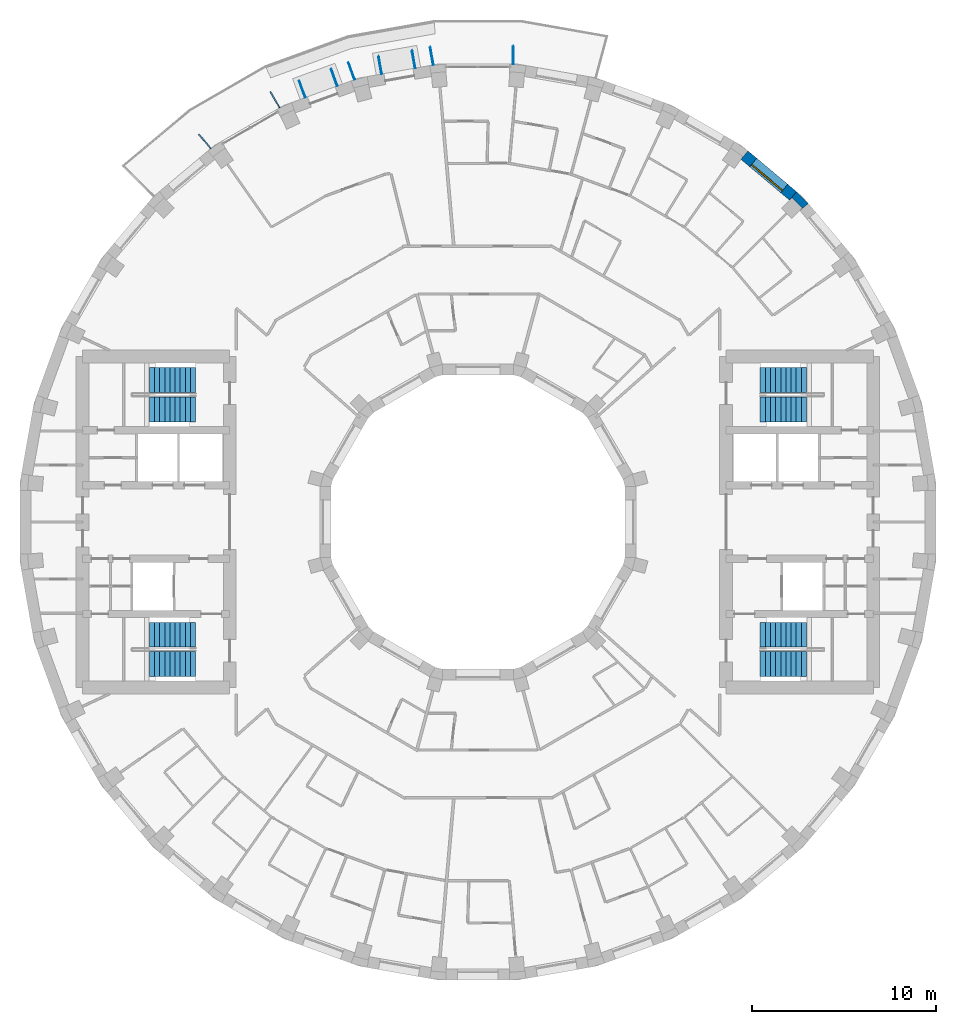
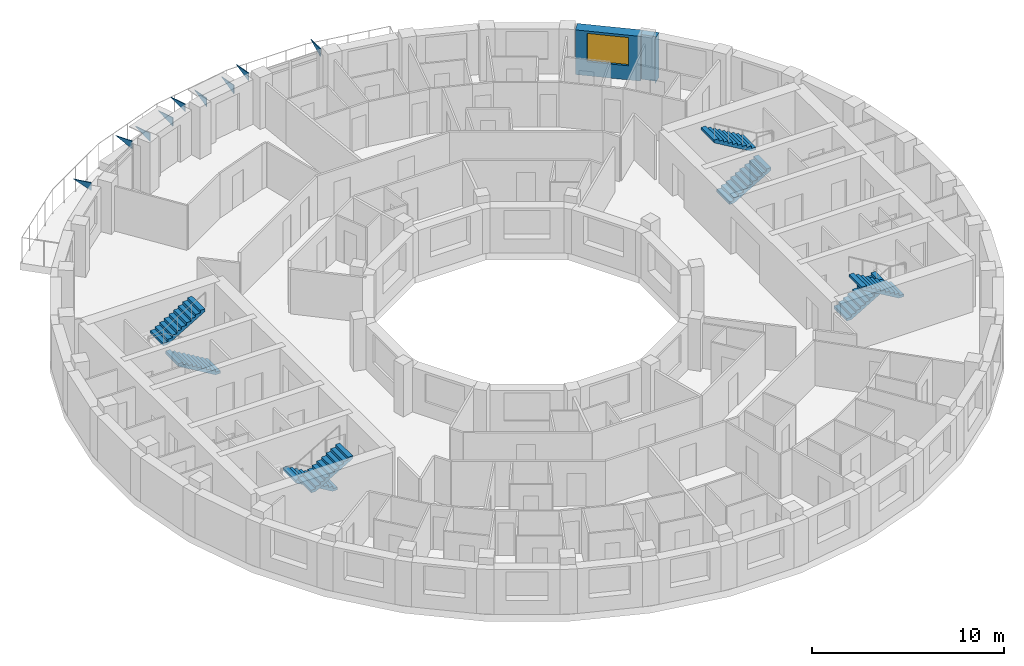
# One storey, part 13 of 14: 9 discrete accessories, 8 stair flights, 2 walls, 1 window, 1 opening, 4 elements without a shape of their own.
"""IFC4 building model written with IfcOpenShell, lengths in metres."""

from ifc_helpers import new_model, si_unit, direction, frame, frame_2d, origin, place, context, subcontext, project, spatial, polyline, rectangle, outline, extrude, material, layer, layer_set, type_object, element, fill, aggregate, save


model = new_model("IFC4")

# Units and contexts
model_context = context("Model", 3, precision=1e-05, world=origin(), true_north=direction((0.0, 1.0)))
body_context = subcontext(model_context, "Body", "Model", "MODEL_VIEW")
ifc_project = project(units=[si_unit("LENGTHUNIT", "METRE"), si_unit("AREAUNIT", "SQUARE_METRE"), si_unit("VOLUMEUNIT", "CUBIC_METRE"), si_unit("PLANEANGLEUNIT", "RADIAN"), si_unit("MASSUNIT", "GRAM", prefix="KILO")], contexts=[model_context])

# Site, building, storey
site_placement = place(None, origin())
site = spatial("IfcSite", under=ifc_project, at=site_placement, CompositionType="ELEMENT")
building_placement = place(site_placement, origin())
building = spatial("IfcBuilding", under=site, at=building_placement, Name="Saqina Gate Tower", CompositionType="ELEMENT")
storey_placement = place(building_placement, frame((0.0, 0.0, 213.60009765625)))
storey = spatial("IfcBuildingStorey", under=building, at=storey_placement, Name="L61", CompositionType="ELEMENT", Elevation=213.60009765625)

# Wall
ifc_material_1 = material(Name="Brick masonry (buff)", Category="masonry")
wall_type_1 = type_object("IfcWallType", Name="BRICK PIER COPING BUFF", PredefinedType="SOLIDWALL", material=ifc_material_1)
wall_1_placement = place(storey_placement, origin())
element("IfcWall", 1, at=wall_1_placement, inside=storey, type_object=wall_type_1, Name="Pier cap L61 column 5", PredefinedType="SOLIDWALL", context=body_context, shape_type="SweptSolid", body=[
    extrude(outline(polyline([(17.329833984375, 17.969482421875), (16.944091796875, 17.510009765625), (17.07666015625, 17.642333984375), (17.642333984375, 17.07666015625), (17.510009765625, 16.944091796875), (17.969482421875, 17.329833984375), (17.329833984375, 17.969482421875)])), origin(), (0.0, 0.0, 1.0), 2.849853515625),
])

# Wall, opening, window
ifc_material_2 = material(Name="Brick masonry (buff)", Category="masonry")
ifc_layer_1 = layer(ifc_material_2, 0.60009765625)
ifc_layer_set_1 = layer_set([ifc_layer_1], Name="FW-BRICK-BUFF")
wall_type_2 = type_object("IfcWallType", Name="FW-BRICK-BUFF", PredefinedType="SOLIDWALL", material=ifc_layer_set_1)
wall_2_placement = place(storey_placement, frame((17.136962890625, 17.73974609375, 0.0), z_axis=(0.0, 0.0, 1.0), x_axis=(-0.766058884809, 0.642770398358, 0.0)))
wall_2 = element("IfcWall", 2, at=wall_2_placement, inside=storey, type_object=wall_type_2, Name="Facade wall L61 facet 5", PredefinedType="SOLIDWALL", context=body_context, shape_type="SweptSolid", body=[
    extrude(rectangle(XDim=3.449462890625, YDim=0.60009765625, at=frame_2d((1.724609375, 0.0))), origin(), (0.0, 0.0, 1.0), 2.849853515625),
])
opening_placement = place(wall_2_placement, frame((0.625, 0.0, 0.89990234375)))
opening = element("IfcOpeningElement", 3, at=opening_placement, cuts=wall_2, Name="Opening G18-W03", PredefinedType="OPENING", context=body_context, shape_type="SweptSolid", body=[
    extrude(rectangle(XDim=2.199951171875, YDim=1.800048828125, at=frame_2d((1.10009765625, 0.89990234375))), frame((0.0, 0.31201171875, 0.0), z_axis=(0.0, -1.0, 0.0), x_axis=(1.0, 0.0, 0.0)), (0.0, 0.0, 1.0), 0.6240234375),
])
ifc_material_3 = material(Name="Aluminium glazing", Category="aluminium")
window_type = type_object("IfcWindowType", Name="WN-C", PartitioningType="SINGLE_PANEL", PredefinedType="WINDOW", material=ifc_material_3)
window_placement = place(opening_placement, origin())
window = element("IfcWindow", 4, at=window_placement, inside=storey, type_object=window_type, Name="Window L61 facet 5", OverallHeight=1.800048828125, OverallWidth=2.199951171875, PartitioningType="SINGLE_PANEL", PredefinedType="WINDOW", context=body_context, shape_type="SweptSolid", body=[
    extrude(rectangle(XDim=2.199951171875, YDim=1.800048828125, at=frame_2d((1.10009765625, 0.89990234375))), frame((0.0, 0.179931640625, 0.0), z_axis=(0.0, -1.0, 0.0), x_axis=(1.0, 0.0, 0.0)), (0.0, 0.0, 1.0), 0.06005859375),
])
fill(opening, window)

# Stair, stair flights
ifc_material_4 = material(Name="Concrete C40/50", Category="concrete")
stair_type = type_object("IfcStairType", Name="EXIT STAIR", PredefinedType="HALF_TURN_STAIR", material=ifc_material_4)
stair_1_placement = place(storey_placement, origin())
stair_1 = element("IfcStair", 5, at=stair_1_placement, inside=storey, type_object=stair_type, Name="EXIT STAIR 1", PredefinedType="HALF_TURN_STAIR")
ifc_material_5 = material(Name="Concrete C40/50", Category="concrete")
stair_flight_type = type_object("IfcStairFlightType", Name="EXIT STAIR FLIGHT", PredefinedType="STRAIGHT", material=ifc_material_5)
stair_flight_1_placement = place(storey_placement, frame((15.35009765625, 6.125, 0.0), z_axis=(0.0, 0.0, 1.0), x_axis=(1.0, 0.0, 0.0)))
stair_flight_1 = element("IfcStairFlight", 6, at=stair_flight_1_placement, type_object=stair_flight_type, Name="EXIT STAIR 1 FLIGHT 1", NumberOfRisers=10, NumberOfTreads=9, PredefinedType="STRAIGHT", RiserHeight=0.165, TreadLength=0.28, context=body_context, shape_type="SweptSolid", body=[
    extrude(outline(polyline([(0.0, 0.0), (0.0, 0.1650390625), (0.280029296875, 0.1650390625), (0.280029296875, 0.330078125), (0.56005859375, 0.330078125), (0.56005859375, 0.4951171875), (0.840087890625, 0.4951171875), (0.840087890625, 0.659912109375), (1.1201171875, 0.659912109375), (1.1201171875, 0.824951171875), (1.39990234375, 0.824951171875), (1.39990234375, 0.989990234375), (1.679931640625, 0.989990234375), (1.679931640625, 1.155029296875), (1.9599609375, 1.155029296875), (1.9599609375, 1.320068359375), (2.239990234375, 1.320068359375), (2.239990234375, 1.485107421875), (2.52001953125, 1.485107421875), (2.52001953125, 1.64990234375), (2.52001953125, 1.31103515625), (0.295166015625, 0.0), (0.0, 0.0)])), frame((0.0, 0.675048828125, 0.0), z_axis=(0.0, -1.0, 0.0), x_axis=(1.0, 0.0, 0.0)), (0.0, 0.0, 1.0), 1.35009765625),
])
stair_flight_2_placement = place(storey_placement, frame((17.8701171875, 7.72509765625, 1.64990234375), z_axis=(0.0, 0.0, 1.0), x_axis=(-1.0, 0.0, 0.0)))
stair_flight_2 = element("IfcStairFlight", 7, at=stair_flight_2_placement, type_object=stair_flight_type, Name="EXIT STAIR 1 FLIGHT 2", NumberOfRisers=10, NumberOfTreads=9, PredefinedType="STRAIGHT", RiserHeight=0.165, TreadLength=0.28, context=body_context, shape_type="SweptSolid", body=[
    extrude(outline(polyline([(0.0, 0.0), (0.0, 0.1650390625), (0.280029296875, 0.1650390625), (0.280029296875, 0.330078125), (0.56005859375, 0.330078125), (0.56005859375, 0.4951171875), (0.840087890625, 0.4951171875), (0.840087890625, 0.659912109375), (1.1201171875, 0.659912109375), (1.1201171875, 0.824951171875), (1.39990234375, 0.824951171875), (1.39990234375, 0.989990234375), (1.679931640625, 0.989990234375), (1.679931640625, 1.155029296875), (1.9599609375, 1.155029296875), (1.9599609375, 1.320068359375), (2.239990234375, 1.320068359375), (2.239990234375, 1.485107421875), (2.52001953125, 1.485107421875), (2.52001953125, 1.64990234375), (2.52001953125, 1.31103515625), (0.295166015625, 0.0), (0.0, 0.0)])), frame((0.0, 0.675048828125, 0.0), z_axis=(0.0, -1.0, 0.0), x_axis=(1.0, 0.0, 0.0)), (0.0, 0.0, 1.0), 1.35009765625),
])
aggregate(stair_1, [stair_flight_1, stair_flight_2])

stair_2_placement = place(storey_placement, origin())
stair_2 = element("IfcStair", 8, at=stair_2_placement, inside=storey, type_object=stair_type, Name="EXIT STAIR 2", PredefinedType="HALF_TURN_STAIR")
stair_flight_3_placement = place(storey_placement, frame((15.35009765625, -6.125, 0.0), z_axis=(0.0, 0.0, 1.0), x_axis=(1.0, 0.0, 0.0)))
stair_flight_3 = element("IfcStairFlight", 9, at=stair_flight_3_placement, type_object=stair_flight_type, Name="EXIT STAIR 2 FLIGHT 1", NumberOfRisers=10, NumberOfTreads=9, PredefinedType="STRAIGHT", RiserHeight=0.165, TreadLength=0.28, context=body_context, shape_type="SweptSolid", body=[
    extrude(outline(polyline([(0.0, 0.0), (0.0, 0.1650390625), (0.280029296875, 0.1650390625), (0.280029296875, 0.330078125), (0.56005859375, 0.330078125), (0.56005859375, 0.4951171875), (0.840087890625, 0.4951171875), (0.840087890625, 0.659912109375), (1.1201171875, 0.659912109375), (1.1201171875, 0.824951171875), (1.39990234375, 0.824951171875), (1.39990234375, 0.989990234375), (1.679931640625, 0.989990234375), (1.679931640625, 1.155029296875), (1.9599609375, 1.155029296875), (1.9599609375, 1.320068359375), (2.239990234375, 1.320068359375), (2.239990234375, 1.485107421875), (2.52001953125, 1.485107421875), (2.52001953125, 1.64990234375), (2.52001953125, 1.31103515625), (0.295166015625, 0.0), (0.0, 0.0)])), frame((0.0, 0.675048828125, 0.0), z_axis=(0.0, -1.0, 0.0), x_axis=(1.0, 0.0, 0.0)), (0.0, 0.0, 1.0), 1.35009765625),
])
stair_flight_4_placement = place(storey_placement, frame((17.8701171875, -7.72509765625, 1.64990234375), z_axis=(0.0, 0.0, 1.0), x_axis=(-1.0, 0.0, 0.0)))
stair_flight_4 = element("IfcStairFlight", 10, at=stair_flight_4_placement, type_object=stair_flight_type, Name="EXIT STAIR 2 FLIGHT 2", NumberOfRisers=10, NumberOfTreads=9, PredefinedType="STRAIGHT", RiserHeight=0.165, TreadLength=0.28, context=body_context, shape_type="SweptSolid", body=[
    extrude(outline(polyline([(0.0, 0.0), (0.0, 0.1650390625), (0.280029296875, 0.1650390625), (0.280029296875, 0.330078125), (0.56005859375, 0.330078125), (0.56005859375, 0.4951171875), (0.840087890625, 0.4951171875), (0.840087890625, 0.659912109375), (1.1201171875, 0.659912109375), (1.1201171875, 0.824951171875), (1.39990234375, 0.824951171875), (1.39990234375, 0.989990234375), (1.679931640625, 0.989990234375), (1.679931640625, 1.155029296875), (1.9599609375, 1.155029296875), (1.9599609375, 1.320068359375), (2.239990234375, 1.320068359375), (2.239990234375, 1.485107421875), (2.52001953125, 1.485107421875), (2.52001953125, 1.64990234375), (2.52001953125, 1.31103515625), (0.295166015625, 0.0), (0.0, 0.0)])), frame((0.0, 0.675048828125, 0.0), z_axis=(0.0, -1.0, 0.0), x_axis=(1.0, 0.0, 0.0)), (0.0, 0.0, 1.0), 1.35009765625),
])
aggregate(stair_2, [stair_flight_3, stair_flight_4])

stair_3_placement = place(storey_placement, origin())
stair_3 = element("IfcStair", 11, at=stair_3_placement, inside=storey, type_object=stair_type, Name="EXIT STAIR 3", PredefinedType="HALF_TURN_STAIR")
stair_flight_5_placement = place(storey_placement, frame((-15.35009765625, 6.125, 0.0), z_axis=(0.0, 0.0, 1.0), x_axis=(-1.0, 0.0, 0.0)))
stair_flight_5 = element("IfcStairFlight", 12, at=stair_flight_5_placement, type_object=stair_flight_type, Name="EXIT STAIR 3 FLIGHT 1", NumberOfRisers=10, NumberOfTreads=9, PredefinedType="STRAIGHT", RiserHeight=0.165, TreadLength=0.28, context=body_context, shape_type="SweptSolid", body=[
    extrude(outline(polyline([(0.0, 0.0), (0.0, 0.1650390625), (0.280029296875, 0.1650390625), (0.280029296875, 0.330078125), (0.56005859375, 0.330078125), (0.56005859375, 0.4951171875), (0.840087890625, 0.4951171875), (0.840087890625, 0.659912109375), (1.1201171875, 0.659912109375), (1.1201171875, 0.824951171875), (1.39990234375, 0.824951171875), (1.39990234375, 0.989990234375), (1.679931640625, 0.989990234375), (1.679931640625, 1.155029296875), (1.9599609375, 1.155029296875), (1.9599609375, 1.320068359375), (2.239990234375, 1.320068359375), (2.239990234375, 1.485107421875), (2.52001953125, 1.485107421875), (2.52001953125, 1.64990234375), (2.52001953125, 1.31103515625), (0.295166015625, 0.0), (0.0, 0.0)])), frame((0.0, 0.675048828125, 0.0), z_axis=(0.0, -1.0, 0.0), x_axis=(1.0, 0.0, 0.0)), (0.0, 0.0, 1.0), 1.35009765625),
])
stair_flight_6_placement = place(storey_placement, frame((-17.8701171875, 7.72509765625, 1.64990234375), z_axis=(0.0, 0.0, 1.0), x_axis=(1.0, 0.0, 0.0)))
stair_flight_6 = element("IfcStairFlight", 13, at=stair_flight_6_placement, type_object=stair_flight_type, Name="EXIT STAIR 3 FLIGHT 2", NumberOfRisers=10, NumberOfTreads=9, PredefinedType="STRAIGHT", RiserHeight=0.165, TreadLength=0.28, context=body_context, shape_type="SweptSolid", body=[
    extrude(outline(polyline([(0.0, 0.0), (0.0, 0.1650390625), (0.280029296875, 0.1650390625), (0.280029296875, 0.330078125), (0.56005859375, 0.330078125), (0.56005859375, 0.4951171875), (0.840087890625, 0.4951171875), (0.840087890625, 0.659912109375), (1.1201171875, 0.659912109375), (1.1201171875, 0.824951171875), (1.39990234375, 0.824951171875), (1.39990234375, 0.989990234375), (1.679931640625, 0.989990234375), (1.679931640625, 1.155029296875), (1.9599609375, 1.155029296875), (1.9599609375, 1.320068359375), (2.239990234375, 1.320068359375), (2.239990234375, 1.485107421875), (2.52001953125, 1.485107421875), (2.52001953125, 1.64990234375), (2.52001953125, 1.31103515625), (0.295166015625, 0.0), (0.0, 0.0)])), frame((0.0, 0.675048828125, 0.0), z_axis=(0.0, -1.0, 0.0), x_axis=(1.0, 0.0, 0.0)), (0.0, 0.0, 1.0), 1.35009765625),
])
aggregate(stair_3, [stair_flight_5, stair_flight_6])

stair_4_placement = place(storey_placement, origin())
stair_4 = element("IfcStair", 14, at=stair_4_placement, inside=storey, type_object=stair_type, Name="EXIT STAIR 4", PredefinedType="HALF_TURN_STAIR")
stair_flight_7_placement = place(storey_placement, frame((-15.35009765625, -6.125, 0.0), z_axis=(0.0, 0.0, 1.0), x_axis=(-1.0, 0.0, 0.0)))
stair_flight_7 = element("IfcStairFlight", 15, at=stair_flight_7_placement, type_object=stair_flight_type, Name="EXIT STAIR 4 FLIGHT 1", NumberOfRisers=10, NumberOfTreads=9, PredefinedType="STRAIGHT", RiserHeight=0.165, TreadLength=0.28, context=body_context, shape_type="SweptSolid", body=[
    extrude(outline(polyline([(0.0, 0.0), (0.0, 0.1650390625), (0.280029296875, 0.1650390625), (0.280029296875, 0.330078125), (0.56005859375, 0.330078125), (0.56005859375, 0.4951171875), (0.840087890625, 0.4951171875), (0.840087890625, 0.659912109375), (1.1201171875, 0.659912109375), (1.1201171875, 0.824951171875), (1.39990234375, 0.824951171875), (1.39990234375, 0.989990234375), (1.679931640625, 0.989990234375), (1.679931640625, 1.155029296875), (1.9599609375, 1.155029296875), (1.9599609375, 1.320068359375), (2.239990234375, 1.320068359375), (2.239990234375, 1.485107421875), (2.52001953125, 1.485107421875), (2.52001953125, 1.64990234375), (2.52001953125, 1.31103515625), (0.295166015625, 0.0), (0.0, 0.0)])), frame((0.0, 0.675048828125, 0.0), z_axis=(0.0, -1.0, 0.0), x_axis=(1.0, 0.0, 0.0)), (0.0, 0.0, 1.0), 1.35009765625),
])
stair_flight_8_placement = place(storey_placement, frame((-17.8701171875, -7.72509765625, 1.64990234375), z_axis=(0.0, 0.0, 1.0), x_axis=(1.0, 0.0, 0.0)))
stair_flight_8 = element("IfcStairFlight", 16, at=stair_flight_8_placement, type_object=stair_flight_type, Name="EXIT STAIR 4 FLIGHT 2", NumberOfRisers=10, NumberOfTreads=9, PredefinedType="STRAIGHT", RiserHeight=0.165, TreadLength=0.28, context=body_context, shape_type="SweptSolid", body=[
    extrude(outline(polyline([(0.0, 0.0), (0.0, 0.1650390625), (0.280029296875, 0.1650390625), (0.280029296875, 0.330078125), (0.56005859375, 0.330078125), (0.56005859375, 0.4951171875), (0.840087890625, 0.4951171875), (0.840087890625, 0.659912109375), (1.1201171875, 0.659912109375), (1.1201171875, 0.824951171875), (1.39990234375, 0.824951171875), (1.39990234375, 0.989990234375), (1.679931640625, 0.989990234375), (1.679931640625, 1.155029296875), (1.9599609375, 1.155029296875), (1.9599609375, 1.320068359375), (2.239990234375, 1.320068359375), (2.239990234375, 1.485107421875), (2.52001953125, 1.485107421875), (2.52001953125, 1.64990234375), (2.52001953125, 1.31103515625), (0.295166015625, 0.0), (0.0, 0.0)])), frame((0.0, 0.675048828125, 0.0), z_axis=(0.0, -1.0, 0.0), x_axis=(1.0, 0.0, 0.0)), (0.0, 0.0, 1.0), 1.35009765625),
])
aggregate(stair_4, [stair_flight_7, stair_flight_8])

# Discrete accessories
ifc_material_6 = material(Name="Galvanised steel", Category="steel")
ifc_layer_2 = layer(ifc_material_6, 0.050048828125)
ifc_layer_set_2 = layer_set([ifc_layer_2], Name="BR-AWNING")
discrete_accessory_type_1 = type_object("IfcDiscreteAccessoryType", Name="BR-AWNING", PredefinedType="BRACKET", material=ifc_layer_set_2)
discrete_accessory_1_placement = place(storey_placement, frame((-3.4384765625, 24.682861328125, 1.974853515625), z_axis=(-0.984813043937, -0.173618168668, 0.0), x_axis=(0.0, 0.0, 1.0)))
element("IfcDiscreteAccessory", 17, at=discrete_accessory_1_placement, inside=storey, type_object=discrete_accessory_type_1, Name="Awning bracket L61 facet 10", PredefinedType="BRACKET", context=body_context, shape_type="SweptSolid", body=[
    extrude(outline(polyline([(0.0, 0.0), (0.550048828125, 0.0), (0.550048828125, 0.9998031064747768), (0.0, 0.0)])), origin(), (0.0, 0.0, -1.0), 0.050048828125),
])
discrete_accessory_2_placement = place(storey_placement, frame((-5.260009765625, 24.361572265625, 1.974853515625), z_axis=(-0.984778643263, -0.173813186416, 0.0), x_axis=(0.0, 0.0, 1.0)))
element("IfcDiscreteAccessory", 18, at=discrete_accessory_2_placement, inside=storey, type_object=discrete_accessory_type_1, Name="Awning bracket L61 facet 10", PredefinedType="BRACKET", context=body_context, shape_type="SweptSolid", body=[
    extrude(outline(polyline([(0.0, 0.0), (0.550048828125, 0.0), (0.550048828125, 1.0000859462043912), (0.0, 0.0)])), origin(), (0.0, 0.0, -1.0), 0.050048828125),
])
for number, where, z_axis, x_axis, name in (
    (19, (-7.67236328125, 23.710693359375, 1.974853515625), (-0.939686455819, -0.342037080957, 0.0), (0.0, 0.0, 1.0), "Awning bracket L61 facet 11"),
    (20, (-9.41064453125, 23.077880859375, 1.974853515625), (-0.939686455819, -0.342037080957, 0.0), (0.0, 0.0, 1.0), "Awning bracket L61 facet 11"),
):
    element("IfcDiscreteAccessory", number, at=place(storey_placement, frame(where, z_axis=z_axis, x_axis=x_axis)), inside=storey, type_object=discrete_accessory_type_1, Name=name, PredefinedType="BRACKET", context=body_context, shape_type="SweptSolid", body=[
        extrude(outline(polyline([(0.0, 0.0), (0.550048828125, 0.0), (0.550048828125, 1.000011503630275), (0.0, 0.0)])), origin(), (0.0, 0.0, -1.0), 0.050048828125),
    ])
ifc_material_7 = material(Name="Galvanised steel", Category="steel")
ifc_layer_3 = layer(ifc_material_7, 0.050048828125)
ifc_layer_set_3 = layer_set([ifc_layer_3], Name="BR-GUSSET")
discrete_accessory_type_2 = type_object("IfcDiscreteAccessoryType", Name="BR-GUSSET", PredefinedType="BRACKET", material=ifc_layer_set_3)
discrete_accessory_3_placement = place(storey_placement, frame((1.90380859375, 24.90478515625, 2.349853515625), z_axis=(-1.0, 0.0, 0.0), x_axis=(0.0, 0.0, 1.0)))
element("IfcDiscreteAccessory", 21, at=discrete_accessory_3_placement, inside=storey, type_object=discrete_accessory_type_2, Name="Terrace slab bracket L62 1", PredefinedType="BRACKET", context=body_context, shape_type="SweptSolid", body=[
    extrude(outline(polyline([(0.0, 0.0), (0.5, 0.0), (0.5, 1.0), (0.0, 0.0)])), origin(), (0.0, 0.0, -1.0), 0.050048828125),
])
discrete_accessory_4_placement = place(storey_placement, frame((-2.44970703125, 24.857177734375, 2.349853515625), z_axis=(-0.984813043937, -0.173618168668, 0.0), x_axis=(0.0, 0.0, 1.0)))
element("IfcDiscreteAccessory", 22, at=discrete_accessory_4_placement, inside=storey, type_object=discrete_accessory_type_2, Name="Terrace slab bracket L62 2", PredefinedType="BRACKET", context=body_context, shape_type="SweptSolid", body=[
    extrude(outline(polyline([(0.0, 0.0), (0.5, 0.0), (0.5, 0.9998031064747768), (0.0, 0.0)])), origin(), (0.0, 0.0, -1.0), 0.050048828125),
])
discrete_accessory_5_placement = place(storey_placement, frame((-6.72900390625, 24.05419921875, 2.349853515625), z_axis=(-0.939764905391, -0.341821477669, 0.0), x_axis=(0.0, 0.0, 1.0)))
element("IfcDiscreteAccessory", 23, at=discrete_accessory_5_placement, inside=storey, type_object=discrete_accessory_type_2, Name="Terrace slab bracket L62 3", PredefinedType="BRACKET", context=body_context, shape_type="SweptSolid", body=[
    extrude(outline(polyline([(0.0, 0.0), (0.5, 0.0), (0.5, 0.999928024801219), (0.0, 0.0)])), origin(), (0.0, 0.0, -1.0), 0.050048828125),
])
discrete_accessory_6_placement = place(storey_placement, frame((-10.8037109375, 22.520263671875, 2.349853515625), z_axis=(-0.866010750942, -0.50002537861, 0.0), x_axis=(0.0, 0.0, 1.0)))
element("IfcDiscreteAccessory", 24, at=discrete_accessory_6_placement, inside=storey, type_object=discrete_accessory_type_2, Name="Terrace slab bracket L62 4", PredefinedType="BRACKET", context=body_context, shape_type="SweptSolid", body=[
    extrude(outline(polyline([(0.0, 0.0), (0.5, 0.0), (0.5, 0.9999492453569568), (0.0, 0.0)])), origin(), (0.0, 0.0, -1.0), 0.050048828125),
])
discrete_accessory_7_placement = place(storey_placement, frame((-14.550048828125, 20.302001953125, 2.349853515625), z_axis=(-0.766055819685, -0.64277405138, 0.0), x_axis=(0.0, 0.0, 1.0)))
element("IfcDiscreteAccessory", 25, at=discrete_accessory_7_placement, inside=storey, type_object=discrete_accessory_type_2, Name="Terrace slab bracket L62 5", PredefinedType="BRACKET", context=body_context, shape_type="SweptSolid", body=[
    extrude(outline(polyline([(0.0, 0.0), (0.5, 0.0), (0.5, 1.0000750096322275), (0.0, 0.0)])), origin(), (0.0, 0.0, -1.0), 0.050048828125),
])

save(model, "model.ifc")
